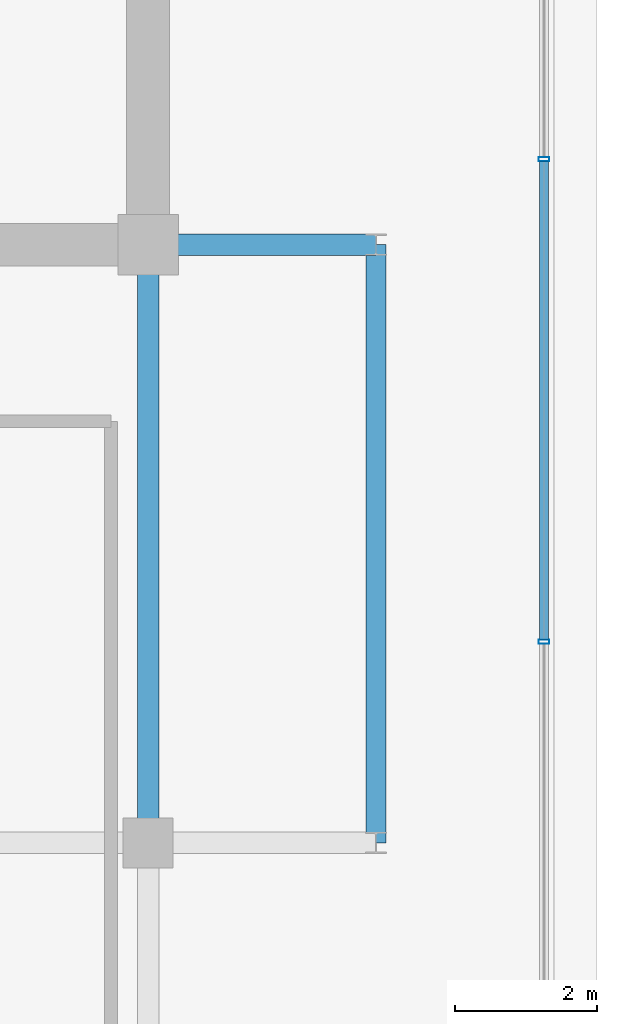
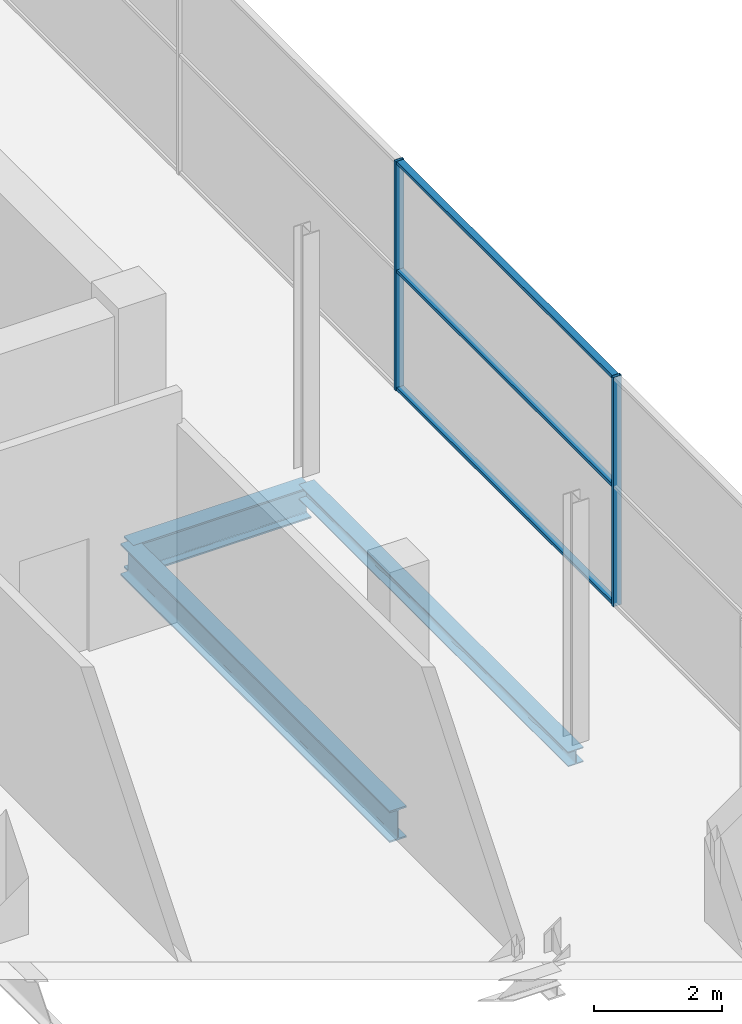
# One storey, part 16 of 28: 5 members, 3 beams, 1 element without a shape of its own.
"""IFC4 building model written with IfcOpenShell, lengths in metres."""

from ifc_helpers import new_model, si_unit, direction, frame, origin, origin_2d, place, context, subcontext, project, spatial, hollow_rectangle, i_section, extrude, source, transform, mapped, material, layer, layer_set, material_profile, profile_set, type_object, element, aggregate, save


model = new_model("IFC4")

# Units and contexts
model_context = context("Model", 3, precision=1e-05, world=origin(), true_north=direction((0.0, 1.0)))
body_context = subcontext(model_context, "Body", "Model", "MODEL_VIEW")
ifc_project = project(units=[si_unit("LENGTHUNIT", "METRE"), si_unit("AREAUNIT", "SQUARE_METRE"), si_unit("VOLUMEUNIT", "CUBIC_METRE"), si_unit("PLANEANGLEUNIT", "RADIAN"), si_unit("MASSUNIT", "GRAM", prefix="KILO")], contexts=[model_context])

# Site, building, storey
site_placement = place(None, origin())
site = spatial("IfcSite", under=ifc_project, at=site_placement, CompositionType="ELEMENT")
building_placement = place(site_placement, origin())
building = spatial("IfcBuilding", under=site, at=building_placement, Name="Zarnakvel Exchange Tower", CompositionType="ELEMENT")
storey_placement = place(building_placement, frame((0.0, 0.0, 276.199951171875)))
storey = spatial("IfcBuildingStorey", under=building, at=storey_placement, Name="Crown L78", CompositionType="ELEMENT", Elevation=276.199951171875)

# Beams
ifc_material_1 = material(Name="Steel S355", Category="steel")
ifc_material_profile_1 = material_profile(ifc_material_1, i_section(OverallWidth=0.300048828125, OverallDepth=0.60009765625, WebThickness=0.015380859375, FlangeThickness=0.030029296875, FilletRadius=0.027099609375, at=origin_2d()))
ifc_profile_set_1 = profile_set([ifc_material_profile_1], Name="Steel S355")
beam_type_1 = type_object("IfcBeamType", Name="G-04", PredefinedType="BEAM", material=ifc_profile_set_1)
beam_1_placement = place(storey_placement, frame((14.39990234375, -1.199951171875, -0.52001953125), z_axis=(1.0, 0.0, 0.0), x_axis=(0.0, 1.0, 0.0)))
element("IfcBeam", 1, at=beam_1_placement, inside=storey, type_object=beam_type_1, Name="Crown L78 Tower E-W Frame Beam", PredefinedType="BEAM", context=body_context, shape_type="SweptSolid", body=[
    extrude(i_section(OverallWidth=0.300048828125, OverallDepth=0.60009765625, WebThickness=0.015380859375, FlangeThickness=0.030029296875, FilletRadius=0.027099609375, at=origin_2d()), origin(), (0.0, 0.0, 1.0), 3.2001953125),
])
beam_2_placement = place(storey_placement, frame((14.39990234375, -9.60009765625, -0.52001953125), z_axis=(0.0, 1.0, 0.0), x_axis=(-1.0, 0.0, 0.0)))
element("IfcBeam", 2, at=beam_2_placement, inside=storey, type_object=beam_type_1, Name="Crown L78 Tower N-S Frame Beam", PredefinedType="BEAM", context=body_context, shape_type="SweptSolid", body=[
    extrude(i_section(OverallWidth=0.300048828125, OverallDepth=0.60009765625, WebThickness=0.015380859375, FlangeThickness=0.030029296875, FilletRadius=0.027099609375, at=origin_2d()), origin(), (0.0, 0.0, 1.0), 8.400146484375),
])
ifc_material_profile_2 = material_profile(ifc_material_1, i_section(OverallWidth=0.280029296875, OverallDepth=0.280029296875, WebThickness=0.010498046875, FlangeThickness=0.01806640625, FilletRadius=0.02392578125, at=origin_2d()))
ifc_profile_set_2 = profile_set([ifc_material_profile_2], Name="Steel S355")
beam_type_2 = type_object("IfcBeamType", Name="SP-04", PredefinedType="SPANDREL", material=ifc_profile_set_2)
beam_3_placement = place(storey_placement, frame((17.60009765625, -9.60009765625, -0.35986328125), z_axis=(0.0, 1.0, 0.0), x_axis=(-1.0, 0.0, 0.0)))
element("IfcBeam", 3, at=beam_3_placement, inside=storey, type_object=beam_type_2, Name="Crown L78 Tower N-S Frame Beam", PredefinedType="SPANDREL", context=body_context, shape_type="SweptSolid", body=[
    extrude(i_section(OverallWidth=0.280029296875, OverallDepth=0.280029296875, WebThickness=0.010498046875, FlangeThickness=0.01806640625, FilletRadius=0.02392578125, at=origin_2d()), origin(), (0.0, 0.0, 1.0), 8.400146484375),
])

# Curtain wall, members
ifc_material_2 = material(Name="Architectural Bronze Anodised Aluminium", Category="aluminium")
ifc_layer = layer(ifc_material_2, 0.14990234375)
ifc_layer_set = layer_set([ifc_layer], Name="Architectural Bronze Anodised Aluminium")
curtain_wall_type = type_object("IfcCurtainWallType", Name="CW-07", PredefinedType="NOTDEFINED", material=ifc_layer_set)
curtain_wall_placement = place(storey_placement, origin())
curtain_wall = element("IfcCurtainWall", 4, at=curtain_wall_placement, inside=storey, type_object=curtain_wall_type, Name="Crown L78 Curtain Wall CW-Crown L78-E (CW-07)", PredefinedType="NOTDEFINED")
ifc_material_profile_3 = material_profile(ifc_material_2, hollow_rectangle(XDim=0.14990234375, YDim=0.06005859375, WallThickness=0.00390625, at=origin_2d()))
ifc_profile_set_3 = profile_set([ifc_material_profile_3], Name="Architectural Bronze Anodised Aluminium")
member_type_1 = type_object("IfcMemberType", Name="CWM-07", PredefinedType="MULLION", material=ifc_profile_set_3)
shared_shape_1 = source(origin(), body_context, "Body", "SweptSolid", [
    extrude(hollow_rectangle(XDim=0.14990234375, YDim=0.06005859375, WallThickness=0.00390625, at=origin_2d()), origin(), (0.0, 0.0, 1.0), 4.360107421875),
])
member_1_placement = place(storey_placement, frame((19.9599609375, -6.77490234375, 0.0), z_axis=(0.0, 0.0, 1.0), x_axis=(-1.0, 0.0, 0.0)))
member_1 = element("IfcMember", 5, at=member_1_placement, type_object=member_type_1, Name="CW-07 mullion 2", PredefinedType="MULLION", context=body_context, shape_type="MappedRepresentation", body=[
    mapped(shared_shape_1, transform((0.0, 0.0, 0.0), x_axis=(1.0, 0.0, 0.0), y_axis=(0.0, 1.0, 0.0), z_axis=(0.0, 0.0, 1.0), scale=1.0)),
])
member_2_placement = place(storey_placement, frame((19.9599609375, 0.0, 0.0), z_axis=(0.0, 0.0, 1.0), x_axis=(-1.0, 0.0, 0.0)))
member_2 = element("IfcMember", 6, at=member_2_placement, type_object=member_type_1, Name="CW-07 mullion 3", PredefinedType="MULLION", context=body_context, shape_type="MappedRepresentation", body=[
    mapped(shared_shape_1, transform((0.0, 0.0, 0.0), x_axis=(1.0, 0.0, 0.0), y_axis=(0.0, 1.0, 0.0), z_axis=(0.0, 0.0, 1.0), scale=1.0)),
])
ifc_material_profile_4 = material_profile(ifc_material_2, hollow_rectangle(XDim=0.1201171875, YDim=0.06005859375, WallThickness=0.00390625, at=origin_2d()))
ifc_profile_set_4 = profile_set([ifc_material_profile_4], Name="Architectural Bronze Anodised Aluminium")
member_type_2 = type_object("IfcMemberType", Name="CWT-07", PredefinedType="USERDEFINED", material=ifc_profile_set_4)
shared_shape_2 = source(origin(), body_context, "Body", "SweptSolid", [
    extrude(hollow_rectangle(XDim=0.1201171875, YDim=0.06005859375, WallThickness=0.00390625, at=origin_2d()), origin(), (0.0, 0.0, 1.0), 6.715087890625),
])
member_3_placement = place(storey_placement, frame((19.9599609375, -6.7451171875, 0.030029296875), z_axis=(0.0, 1.0, 0.0), x_axis=(-1.0, 0.0, 0.0)))
member_3 = element("IfcMember", 7, at=member_3_placement, type_object=member_type_2, Name="CW-07 transom 2.1", ObjectType="TRANSOM", PredefinedType="USERDEFINED", context=body_context, shape_type="MappedRepresentation", body=[
    mapped(shared_shape_2, transform((0.0, 0.0, 0.0), x_axis=(1.0, 0.0, 0.0), y_axis=(0.0, 1.0, 0.0), z_axis=(0.0, 0.0, 1.0), scale=1.0)),
])
member_4_placement = place(storey_placement, frame((19.9599609375, -6.7451171875, 2.267333984375), z_axis=(0.0, 1.0, 0.0), x_axis=(-1.0, 0.0, 0.0)))
member_4 = element("IfcMember", 8, at=member_4_placement, type_object=member_type_2, Name="CW-07 transom 2.2", ObjectType="TRANSOM", PredefinedType="USERDEFINED", context=body_context, shape_type="MappedRepresentation", body=[
    mapped(shared_shape_2, transform((0.0, 0.0, 0.0), x_axis=(1.0, 0.0, 0.0), y_axis=(0.0, 1.0, 0.0), z_axis=(0.0, 0.0, 1.0), scale=1.0)),
])
member_5_placement = place(storey_placement, frame((19.9599609375, -6.7451171875, 4.330078125), z_axis=(0.0, 1.0, 0.0), x_axis=(-1.0, 0.0, 0.0)))
member_5 = element("IfcMember", 9, at=member_5_placement, type_object=member_type_2, Name="CW-07 transom 2.3", ObjectType="TRANSOM", PredefinedType="USERDEFINED", context=body_context, shape_type="MappedRepresentation", body=[
    mapped(shared_shape_2, transform((0.0, 0.0, 0.0), x_axis=(1.0, 0.0, 0.0), y_axis=(0.0, 1.0, 0.0), z_axis=(0.0, 0.0, 1.0), scale=1.0)),
])
aggregate(curtain_wall, [member_1, member_2, member_3, member_4, member_5])

save(model, "model.ifc")
